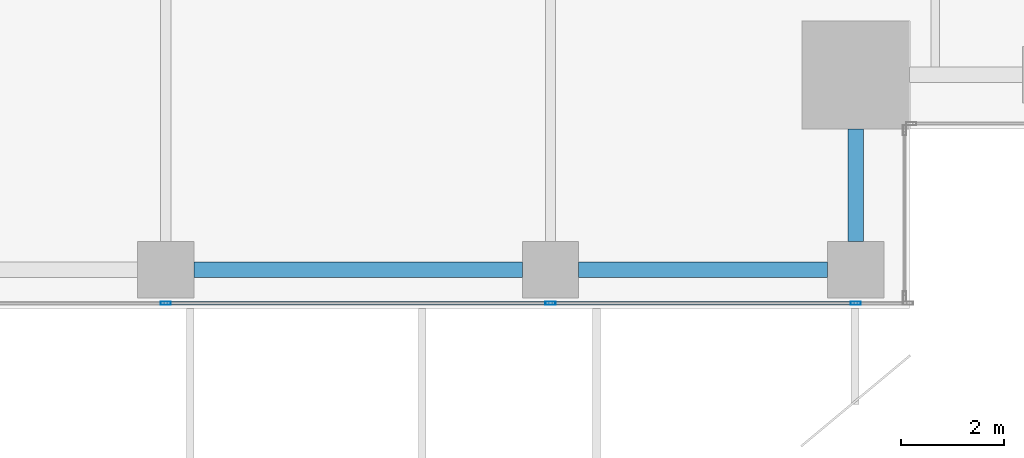
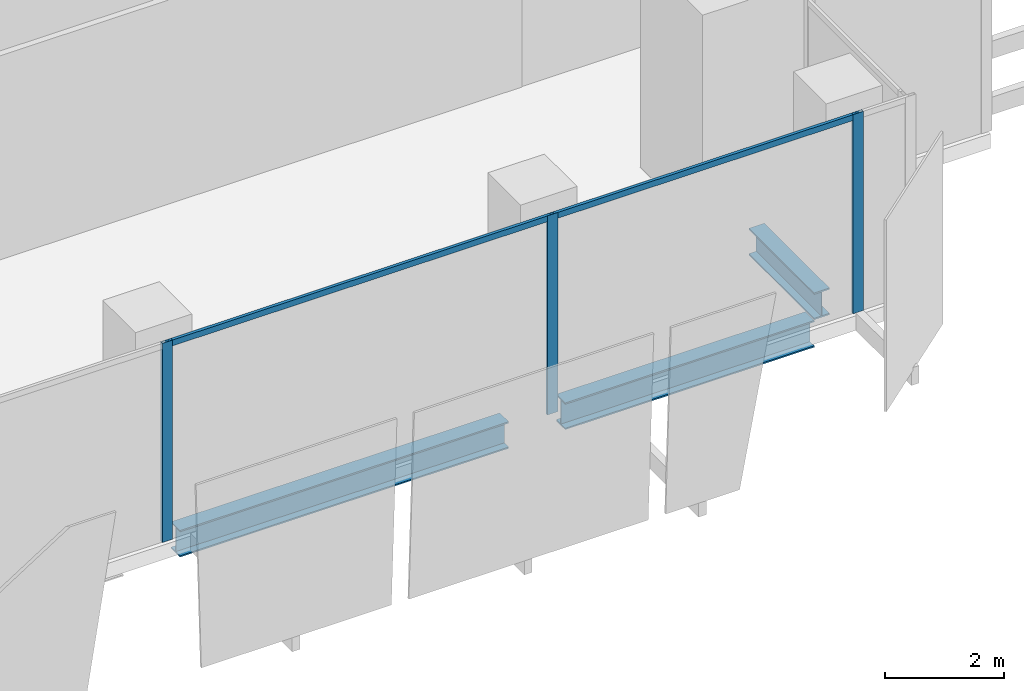
# One storey, part 9 of 34: 5 members, 3 beams, 1 element without a shape of its own.
"""IFC4 building model written with IfcOpenShell, lengths in metres."""

from ifc_helpers import new_model, si_unit, direction, frame, origin, origin_2d, place, context, subcontext, project, spatial, hollow_rectangle, i_section, extrude, source, transform, mapped, material, material_profile, profile_set, type_object, element, aggregate, save


model = new_model("IFC4")

# Units and contexts
model_context = context("Model", 3, precision=1e-05, world=origin(), true_north=direction((0.0, 1.0)))
body_context = subcontext(model_context, "Body", "Model", "MODEL_VIEW")
ifc_project = project(units=[si_unit("LENGTHUNIT", "METRE"), si_unit("AREAUNIT", "SQUARE_METRE"), si_unit("VOLUMEUNIT", "CUBIC_METRE"), si_unit("PLANEANGLEUNIT", "RADIAN"), si_unit("MASSUNIT", "GRAM", prefix="KILO")], contexts=[model_context])

# Site, building, storey
site_placement = place(None, origin())
site = spatial("IfcSite", under=ifc_project, at=site_placement, CompositionType="ELEMENT")
building_placement = place(site_placement, origin())
building = spatial("IfcBuilding", under=site, at=building_placement, Name="Khomas Fold Tower", CompositionType="ELEMENT")
storey_placement = place(building_placement, frame((0.0, 0.0, 154.300048828125)))
storey = spatial("IfcBuildingStorey", under=building, at=storey_placement, Name="L33", CompositionType="ELEMENT", Elevation=154.300048828125)

# Beams
ifc_material_1 = material(Name="Steel S355", Category="steel")
ifc_material_profile_1 = material_profile(ifc_material_1, i_section(OverallWidth=0.300048828125, OverallDepth=0.550048828125, WebThickness=0.014892578125, FlangeThickness=0.029052734375, at=origin_2d()), Name="HE 550 B")
ifc_profile_set_1 = profile_set([ifc_material_profile_1], Name="Steel S355")
beam_type = type_object("IfcBeamType", Name="HE 550 B spandrel SB2", PredefinedType="SPANDREL", material=ifc_profile_set_1)
shared_shape_1 = source(origin(), body_context, "Body", "SweptSolid", [
    extrude(i_section(OverallWidth=0.300048828125, OverallDepth=0.550048828125, WebThickness=0.014892578125, FlangeThickness=0.029052734375, at=origin_2d()), origin(), (0.0, 0.0, 1.0), 4.849853515625),
])
beam_1_placement = place(storey_placement, frame((42.550048828125, 2.25, -0.574951171875), z_axis=(1.0, 0.0, 0.0), x_axis=(0.0, 1.0, 0.0)))
element("IfcBeam", 1, at=beam_1_placement, inside=storey, type_object=beam_type, Name="SB2", PredefinedType="SPANDREL", context=body_context, shape_type="MappedRepresentation", body=[
    mapped(shared_shape_1, transform((0.0, 0.0, 0.0))),
])
shared_shape_2 = source(origin(), body_context, "Body", "SweptSolid", [
    extrude(i_section(OverallWidth=0.300048828125, OverallDepth=0.550048828125, WebThickness=0.014892578125, FlangeThickness=0.029052734375, at=origin_2d()), origin(), (0.0, 0.0, 1.0), 6.39990234375),
])
beam_2_placement = place(storey_placement, frame((35.050048828125, 2.25, -0.574951171875), z_axis=(1.0, 0.0, 0.0), x_axis=(0.0, 1.0, 0.0)))
element("IfcBeam", 2, at=beam_2_placement, inside=storey, type_object=beam_type, Name="SB2", PredefinedType="SPANDREL", context=body_context, shape_type="MappedRepresentation", body=[
    mapped(shared_shape_2, transform((0.0, 0.0, 0.0))),
])
shared_shape_3 = source(origin(), body_context, "Body", "SweptSolid", [
    extrude(i_section(OverallWidth=0.300048828125, OverallDepth=0.550048828125, WebThickness=0.014892578125, FlangeThickness=0.029052734375, at=origin_2d()), origin(), (0.0, 0.0, 1.0), 2.199951171875),
])
beam_3_placement = place(storey_placement, frame((47.949951171875, 2.800048828125, -0.574951171875), z_axis=(0.0, 1.0, 0.0), x_axis=(-1.0, 0.0, 0.0)))
element("IfcBeam", 3, at=beam_3_placement, inside=storey, type_object=beam_type, Name="SB2", PredefinedType="SPANDREL", context=body_context, shape_type="MappedRepresentation", body=[
    mapped(shared_shape_3, transform((0.0, 0.0, 0.0))),
])

# Curtain wall, members
ifc_material_2 = material(Name="Aluminium framed double glazing", Category="aluminium")
curtain_wall_type = type_object("IfcCurtainWallType", Name="SK-Unitised clear-glass wall, growing floors CW1", PredefinedType="NOTDEFINED", material=ifc_material_2)
curtain_wall_placement = place(storey_placement, origin())
curtain_wall = element("IfcCurtainWall", 4, at=curtain_wall_placement, inside=storey, type_object=curtain_wall_type, Name="CW1 run L33 00-0", PredefinedType="NOTDEFINED")
ifc_material_3 = material(Name="Aluminium", Category="aluminium")
ifc_material_profile_2 = material_profile(ifc_material_3, hollow_rectangle(XDim=0.06005859375, YDim=0.1201171875, WallThickness=0.00390625, at=origin_2d()), Name="SK-Unitised clear-glass wall, growing floors transom CW1-T")
ifc_profile_set_2 = profile_set([ifc_material_profile_2], Name="Aluminium")
member_type_1 = type_object("IfcMemberType", Name="SK-Unitised clear-glass wall, growing floors transom CW1-T", PredefinedType="USERDEFINED", material=ifc_profile_set_2)
shared_shape_4 = source(origin(), body_context, "Body", "SweptSolid", [
    extrude(hollow_rectangle(XDim=0.06005859375, YDim=0.1201171875, WallThickness=0.00390625, at=origin_2d()), origin(), (0.0, 0.0, 1.0), 7.43994140625),
])
member_1_placement = place(storey_placement, frame((34.530029296875, 1.60009765625, 4.0400390625), z_axis=(1.0, 0.0, 0.0), x_axis=(0.0, 1.0, 0.0)))
member_1 = element("IfcMember", 5, at=member_1_placement, type_object=member_type_1, Name="CW1 transom 6", ObjectType="TRANSOM", PredefinedType="USERDEFINED", context=body_context, shape_type="MappedRepresentation", body=[
    mapped(shared_shape_4, transform((0.0, 0.0, 0.0))),
])
shared_shape_5 = source(origin(), body_context, "Body", "SweptSolid", [
    extrude(hollow_rectangle(XDim=0.06005859375, YDim=0.1201171875, WallThickness=0.00390625, at=origin_2d()), origin(), (0.0, 0.0, 1.0), 5.889892578125),
])
member_2_placement = place(storey_placement, frame((42.030029296875, 1.60009765625, 4.0400390625), z_axis=(1.0, 0.0, 0.0), x_axis=(0.0, 1.0, 0.0)))
member_2 = element("IfcMember", 6, at=member_2_placement, type_object=member_type_1, Name="CW1 transom 7", ObjectType="TRANSOM", PredefinedType="USERDEFINED", context=body_context, shape_type="MappedRepresentation", body=[
    mapped(shared_shape_5, transform((0.0, 0.0, 0.0))),
])
ifc_material_4 = material(Name="Aluminium", Category="aluminium")
ifc_material_profile_3 = material_profile(ifc_material_4, hollow_rectangle(XDim=0.06005859375, YDim=0.199951171875, WallThickness=0.00390625, at=origin_2d()), Name="SK-Unitised clear-glass wall, growing floors mullion CW1-M")
ifc_profile_set_3 = profile_set([ifc_material_profile_3], Name="Aluminium")
member_type_2 = type_object("IfcMemberType", Name="SK-Unitised clear-glass wall, growing floors mullion CW1-M", PredefinedType="MULLION", material=ifc_profile_set_3)
shared_shape_6 = source(origin(), body_context, "Body", "SweptSolid", [
    extrude(hollow_rectangle(XDim=0.06005859375, YDim=0.199951171875, WallThickness=0.00390625, at=origin_2d()), origin(), (0.0, 0.0, 1.0), 4.099853515625),
])
member_3_placement = place(storey_placement, frame((34.5, 1.60009765625, 0.0), z_axis=(0.0, 0.0, 1.0), x_axis=(0.0, 1.0, 0.0)))
member_3 = element("IfcMember", 7, at=member_3_placement, type_object=member_type_2, Name="CW1 mullion 6", PredefinedType="MULLION", context=body_context, shape_type="MappedRepresentation", body=[
    mapped(shared_shape_6, transform((0.0, 0.0, 0.0))),
])
member_4_placement = place(storey_placement, frame((42.0, 1.60009765625, 0.0), z_axis=(0.0, 0.0, 1.0), x_axis=(0.0, 1.0, 0.0)))
member_4 = element("IfcMember", 8, at=member_4_placement, type_object=member_type_2, Name="CW1 mullion 7", PredefinedType="MULLION", context=body_context, shape_type="MappedRepresentation", body=[
    mapped(shared_shape_6, transform((0.0, 0.0, 0.0))),
])
member_5_placement = place(storey_placement, frame((47.949951171875, 1.60009765625, 0.0), z_axis=(0.0, 0.0, 1.0), x_axis=(0.0, 1.0, 0.0)))
member_5 = element("IfcMember", 9, at=member_5_placement, type_object=member_type_2, Name="CW1 mullion 8", PredefinedType="MULLION", context=body_context, shape_type="MappedRepresentation", body=[
    mapped(shared_shape_6, transform((0.0, 0.0, 0.0))),
])
aggregate(curtain_wall, [member_3, member_4, member_5, member_1, member_2])

save(model, "model.ifc")
